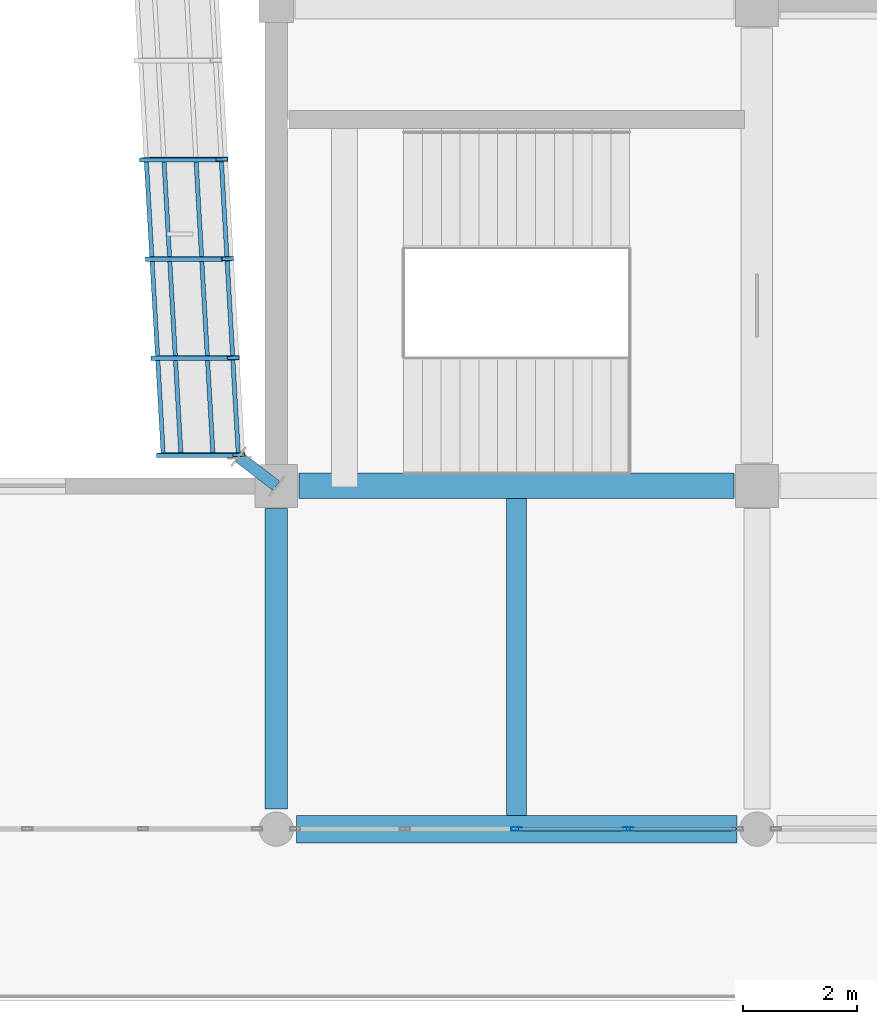
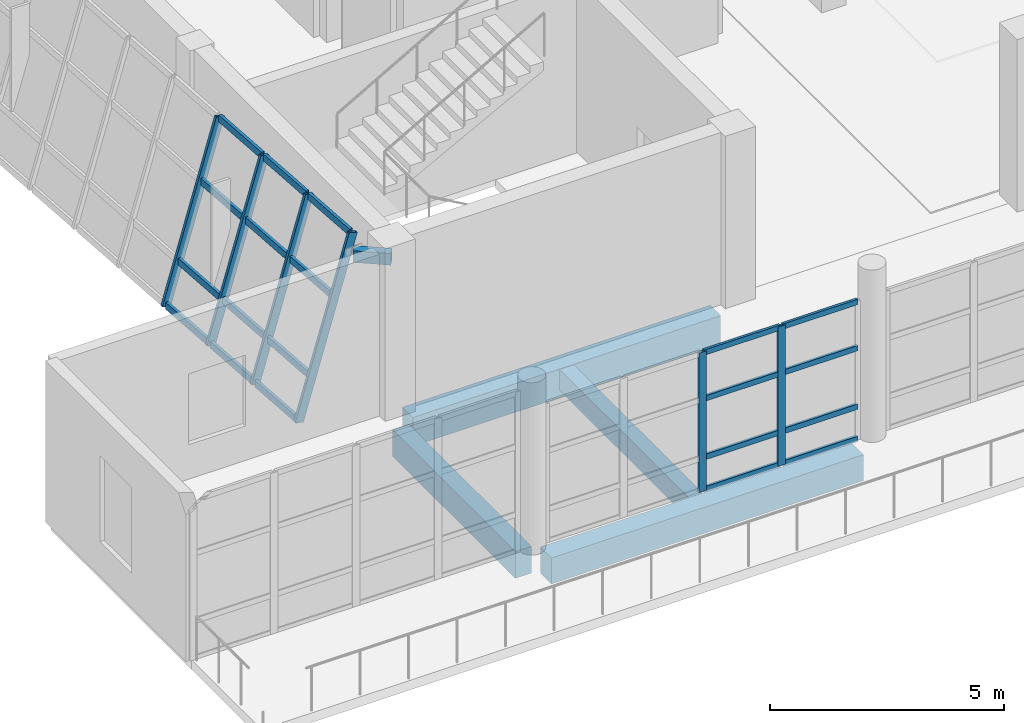
# One storey, part 3 of 71: 26 members, 5 beams, 2 elements without a shape of their own.
"""IFC4 building model written with IfcOpenShell, lengths in metres."""

import ifcopenshell
import ifcopenshell.guid

model = None  # the IFC model being written
_history = None  # IfcOwnerHistory: only IFC2X3 demands one
_inside = {}  # id of a spatial element -> (the spatial element, [elements in it])
_under = {}  # id of a project, library or spatial element -> (it, [spatial elements below it])
_declared = {}  # id of a project -> (the project, [libraries it declares])
_typed = {}  # id of a type object -> (the type object, [elements of that type])
_made_of = {}  # id of a material, layer set ... -> (it, [elements and type objects made of it])


def new_model(schema):
    """Start an empty IFC model of exactly this schema.

    Asked for "IFC4X3", IfcOpenShell would pick the latest addendum, in which some entities
    have other attributes; the version numbers below select the first issue.
    IFC2X3 requires an IfcOwnerHistory on every rooted entity: one is made here for all.
    """
    global model, _history
    if schema == "IFC4X3":
        model = ifcopenshell.file(schema_version=(4, 3, 0, 0))
    else:
        model = ifcopenshell.file(schema=schema)
    _inside.clear()
    _under.clear()
    _declared.clear()
    _typed.clear()
    _made_of.clear()
    _history = None
    if model.schema == "IFC2X3":
        org = make("IfcOrganization", Name="unknown")
        user = make(
            "IfcPersonAndOrganization",
            ThePerson=make("IfcPerson", FamilyName="unknown"),
            TheOrganization=org,
        )
        app = make(
            "IfcApplication",
            ApplicationDeveloper=org,
            Version="unknown",
            ApplicationFullName="unknown",
            ApplicationIdentifier="unknown",
        )
        _history = make(
            "IfcOwnerHistory",
            OwningUser=user,
            OwningApplication=app,
            ChangeAction="ADDED",
            CreationDate=0,
        )
    return model


def make(cls, **values):
    """One entity of the class cls with the attributes given. An attribute that is None is left unset."""
    return model.create_entity(
        cls, **{name: value for name, value in values.items() if value is not None}
    )


def rooted(cls, **values):
    """An entity with a GlobalId (a new one), such as an element, a storey or a relation."""
    return make(cls, GlobalId=ifcopenshell.guid.new(), OwnerHistory=_history, **values)


def si_unit(unit_type, name, prefix=None):
    """IfcSIUnit, for example si_unit("LENGTHUNIT", "METRE", prefix="MILLI")."""
    return make("IfcSIUnit", UnitType=unit_type, Prefix=prefix, Name=name)


def assignment(units):
    """IfcUnitAssignment: the units of a project."""
    return None if units is None else make("IfcUnitAssignment", Units=units)


def point(xyz):
    """IfcCartesianPoint."""
    return None if xyz is None else make("IfcCartesianPoint", Coordinates=xyz)


def direction(xyz):
    """IfcDirection."""
    return None if xyz is None else make("IfcDirection", DirectionRatios=xyz)


def frame(location, z_axis=None, x_axis=None):
    """IfcAxis2Placement3D, a coordinate frame: its origin and axes. An axis left out is left unset."""
    return make(
        "IfcAxis2Placement3D",
        Location=point(location),
        Axis=direction(z_axis),
        RefDirection=direction(x_axis),
    )


def frame_2d(location, x_axis=None):
    """IfcAxis2Placement2D, a coordinate frame in the plane: its origin and x axis."""
    return make(
        "IfcAxis2Placement2D", Location=point(location), RefDirection=direction(x_axis)
    )


def origin():
    """The frame at (0, 0, 0) with its axes left unset."""
    return frame((0.0, 0.0, 0.0))


def origin_2d():
    """The frame at (0, 0) in the plane with its x axis left unset."""
    return frame_2d((0.0, 0.0))


def place(relative_to, where):
    """IfcLocalPlacement: puts the frame where relative to a parent placement (None: the world)."""
    return make(
        "IfcLocalPlacement", PlacementRelTo=relative_to, RelativePlacement=where
    )


def context(
    kind, dimensions, precision=None, world=None, true_north=None, identifier=None
):
    """IfcGeometricRepresentationContext, for example the 3D "Model" context."""
    return make(
        "IfcGeometricRepresentationContext",
        ContextIdentifier=identifier,
        ContextType=kind,
        CoordinateSpaceDimension=dimensions,
        Precision=precision,
        WorldCoordinateSystem=world,
        TrueNorth=true_north,
    )


def subcontext(parent, identifier, kind, view, scale=None):
    """IfcGeometricRepresentationSubContext, for example "Body" below "Model"."""
    return make(
        "IfcGeometricRepresentationSubContext",
        ContextIdentifier=identifier,
        ContextType=kind,
        ParentContext=parent,
        TargetScale=scale,
        TargetView=view,
    )


def project(units=None, contexts=None):
    """IfcProject with its units and contexts."""
    return rooted(
        "IfcProject",
        Name="project",
        RepresentationContexts=contexts,
        UnitsInContext=assignment(units),
    )


def spatial(cls, under=None, at=None, **own):
    """A site, building, storey or space (cls), placed at a placement, below another one or the project."""
    s = rooted(cls, ObjectPlacement=at, **own)
    if under is not None:
        _under.setdefault(under.id(), (under, []))[1].append(s)
    return s


def profile(cls, at=None, kind="AREA", **sizes):
    """A parametric profile (cls). Its sizes go by their IFC names, for example OverallWidth=200.0."""
    return make(cls, ProfileType=kind, Position=at, **sizes)


def rectangle(**sizes):
    """IfcRectangleProfileDef."""
    return profile("IfcRectangleProfileDef", **sizes)


def hollow_rectangle(**sizes):
    """IfcRectangleHollowProfileDef."""
    return profile("IfcRectangleHollowProfileDef", **sizes)


def extrude(swept, where, along, depth):
    """IfcExtrudedAreaSolid: the profile swept, set in the frame where, extruded along a direction by depth."""
    return make(
        "IfcExtrudedAreaSolid",
        SweptArea=swept,
        Position=where,
        ExtrudedDirection=direction(along),
        Depth=depth,
    )


def shape(context_of_items, identifier, shape_type, items):
    """IfcShapeRepresentation: the items that make up one representation, for example the "Body"."""
    return make(
        "IfcShapeRepresentation",
        ContextOfItems=context_of_items,
        RepresentationIdentifier=identifier,
        RepresentationType=shape_type,
        Items=items,
    )


def material(Name=None, Category=None):
    """IfcMaterial."""
    return make("IfcMaterial", Name=Name, Category=Category)


def material_profile(
    of_material, cross_section, Name=None, Category=None, Priority=None
):
    """IfcMaterialProfile: a cross section and its material."""
    return make(
        "IfcMaterialProfile",
        Name=Name,
        Material=of_material,
        Profile=cross_section,
        Priority=Priority,
        Category=Category,
    )


def profile_set(profiles, Name=None, composite=None):
    """IfcMaterialProfileSet."""
    return make(
        "IfcMaterialProfileSet",
        Name=Name,
        MaterialProfiles=profiles,
        CompositeProfile=composite,
    )


def made_of(thing, what):
    """Note that an element or type object is made of a material, layer set ...; save() writes the relation."""
    if what is not None:
        _made_of.setdefault(what.id(), (what, []))[1].append(thing)
    return thing


def type_object(cls, material=None, **own):
    """A type object (cls), such as IfcWallType, which elements share."""
    return made_of(rooted(cls, **own), material)


def element(
    cls,
    number,
    at=None,
    inside=None,
    cuts=None,
    type_object=None,
    material=None,
    context=None,
    identifier="Body",
    shape_type=None,
    held_by="IfcProductDefinitionShape",
    body=None,
    shapes=None,
    **own,
):
    """One element of the class cls, such as IfcWall. Its Tag is "e" and its number.

    at: its placement. inside: the storey or other place that contains it. cuts: it is an
    opening in that element (IfcRelVoidsElement). A single representation is given by context,
    identifier, shape_type and body (its items); several are given by shapes. held_by: the class
    of the entity that holds the representations. save() writes the other relations.
    """
    e = rooted(cls, Tag="e%d" % number, ObjectPlacement=at, **own)
    if body is not None:
        shapes = [shape(context, identifier, shape_type, body)]
    if shapes is not None:
        e.Representation = make(held_by, Representations=shapes)
    if inside is not None:
        _inside.setdefault(inside.id(), (inside, []))[1].append(e)
    if cuts is not None:
        rooted(
            "IfcRelVoidsElement", RelatingBuildingElement=cuts, RelatedOpeningElement=e
        )
    if type_object is not None:
        _typed.setdefault(type_object.id(), (type_object, []))[1].append(e)
    return made_of(e, material)


def aggregate(whole, parts):
    """IfcRelAggregates: a whole, such as a stair, and the parts it consists of."""
    return rooted("IfcRelAggregates", RelatingObject=whole, RelatedObjects=parts)


def save(model, path):
    """Write the relations noted so far, then the file.

    IfcRelAggregates (storeys below a building ...), IfcRelContainedInSpatialStructure (elements
    in a storey), IfcRelDefinesByType, IfcRelAssociatesMaterial and IfcRelDeclares: one each for
    every whole, place, type object, material and project.
    """
    for whole, parts in _under.values():
        aggregate(whole, parts)
    for where, things in _inside.values():
        rooted(
            "IfcRelContainedInSpatialStructure",
            RelatedElements=things,
            RelatingStructure=where,
        )
    for kind, things in _typed.values():
        rooted("IfcRelDefinesByType", RelatedObjects=things, RelatingType=kind)
    for what, things in _made_of.values():
        rooted("IfcRelAssociatesMaterial", RelatedObjects=things, RelatingMaterial=what)
    for by, libraries in _declared.values():
        rooted("IfcRelDeclares", RelatingContext=by, RelatedDefinitions=libraries)
    model.write(path)


model = new_model("IFC4")

# Units and contexts
model_context = context("Model", 3, precision=1e-05, world=origin(), true_north=direction((0.0, 1.0)))
body_context = subcontext(model_context, "Body", "Model", "MODEL_VIEW")
ifc_project = project(units=[si_unit("LENGTHUNIT", "METRE"), si_unit("AREAUNIT", "SQUARE_METRE"), si_unit("VOLUMEUNIT", "CUBIC_METRE"), si_unit("PLANEANGLEUNIT", "RADIAN"), si_unit("MASSUNIT", "GRAM", prefix="KILO")], contexts=[model_context])

# Site, building, storey
site_placement = place(None, origin())
site = spatial("IfcSite", under=ifc_project, at=site_placement, CompositionType="ELEMENT")
building_placement = place(site_placement, origin())
building = spatial("IfcBuilding", under=site, at=building_placement, Name="Pellamere Symphony Hall", CompositionType="ELEMENT")
storey_placement = place(building_placement, frame((0.0, 0.0, 15.0)))
storey = spatial("IfcBuildingStorey", under=building, at=storey_placement, Name="L03", CompositionType="ELEMENT", Elevation=15.0)

# Curtain wall, members
ifc_material_1 = material(Name="Thermally Broken Anodised Aluminium 6063-T6 Curtain Wall", Category="aluminium")
curtain_wall_type_1 = type_object("IfcCurtainWallType", Name="Curtain Wall CW-01 (Tilted Faceted Crystal Low-Iron Curtain Wall)", PredefinedType="NOTDEFINED", material=ifc_material_1)
curtain_wall_1_placement = place(storey_placement, origin())
curtain_wall_1 = element("IfcCurtainWall", 1, at=curtain_wall_1_placement, inside=storey, type_object=curtain_wall_type_1, Name="Crystal Faceted Curtain Wall CW-CR18 (L03)", PredefinedType="NOTDEFINED")
ifc_material_2 = material(Name="Anodised Architectural Aluminium 6063-T6", Category="aluminium")
ifc_material_profile_1 = material_profile(ifc_material_2, hollow_rectangle(XDim=0.074951171875, YDim=0.219970703125, WallThickness=0.0048828125, at=origin_2d()), Name="ALU-M75X220X5")
ifc_profile_set_1 = profile_set([ifc_material_profile_1], Name="Anodised Architectural Aluminium 6063-T6")
member_type_1 = type_object("IfcMemberType", Name="Curtain Wall Mullion ML-01 ALU-M75X220X5", PredefinedType="MULLION", material=ifc_profile_set_1)
member_1_placement = place(storey_placement, frame((48.116943359375, 35.699951171875, 0.0), z_axis=(0.284024567884, 0.0, 0.95881700279), x_axis=(-0.055224537145, 0.998339941676, 0.01635883099)))
member_1 = element("IfcMember", 2, at=member_1_placement, type_object=member_type_1, Name="CW1-055 crystal mullion 7", PredefinedType="MULLION", context=body_context, shape_type="SweptSolid", body=[
    extrude(hollow_rectangle(XDim=0.074951171875, YDim=0.219970703125, WallThickness=0.0048828125, at=origin_2d()), origin(), (0.0, 0.0, 1.0), 4.693359375),
])
member_2_placement = place(storey_placement, frame((48.217041015625, 33.966552734375, 0.0), z_axis=(0.284024567884, 0.0, 0.95881700279), x_axis=(-0.055224537145, 0.998339941676, 0.01635883099)))
member_2 = element("IfcMember", 3, at=member_2_placement, type_object=member_type_1, Name="CW1-055 crystal mullion 8", PredefinedType="MULLION", context=body_context, shape_type="SweptSolid", body=[
    extrude(hollow_rectangle(XDim=0.074951171875, YDim=0.219970703125, WallThickness=0.0048828125, at=origin_2d()), origin(), (0.0, 0.0, 1.0), 4.693359375),
])
member_3_placement = place(storey_placement, frame((48.31689453125, 32.2333984375, 0.0), z_axis=(0.284024567884, 0.0, 0.95881700279), x_axis=(-0.055224537145, 0.998339941676, 0.01635883099)))
member_3 = element("IfcMember", 4, at=member_3_placement, type_object=member_type_1, Name="CW1-055 crystal mullion 9", PredefinedType="MULLION", context=body_context, shape_type="SweptSolid", body=[
    extrude(hollow_rectangle(XDim=0.074951171875, YDim=0.219970703125, WallThickness=0.0048828125, at=origin_2d()), origin(), (0.0, 0.0, 1.0), 4.693359375),
])
member_4_placement = place(storey_placement, frame((48.414794921875, 30.537353515625, 0.0), z_axis=(0.284024567884, 0.0, 0.95881700279), x_axis=(-0.055224537145, 0.998339941676, 0.01635883099)))
member_4 = element("IfcMember", 5, at=member_4_placement, type_object=member_type_1, Name="CW1-055 crystal mullion 10", PredefinedType="MULLION", context=body_context, shape_type="SweptSolid", body=[
    extrude(hollow_rectangle(XDim=0.074951171875, YDim=0.219970703125, WallThickness=0.0048828125, at=origin_2d()), origin(), (0.0, 0.0, 1.0), 4.693359375),
])

curtain_wall_type_2 = type_object("IfcCurtainWallType", Name="Curtain Wall CW-02 (Winter-Garden South Concourse Curtain Wall)", PredefinedType="NOTDEFINED", material=ifc_material_1)
curtain_wall_2_placement = place(storey_placement, origin())
curtain_wall_2 = element("IfcCurtainWall", 6, at=curtain_wall_2_placement, inside=storey, type_object=curtain_wall_type_2, Name="Winter-Garden South Curtain Wall (L03 Bay 2)", PredefinedType="NOTDEFINED")
ifc_material_profile_2 = material_profile(ifc_material_2, hollow_rectangle(XDim=0.06494140625, YDim=0.179931640625, WallThickness=0.00390625, at=origin_2d()), Name="ALU-M65X180X4")
ifc_profile_set_2 = profile_set([ifc_material_profile_2], Name="Anodised Architectural Aluminium 6063-T6")
member_type_2 = type_object("IfcMemberType", Name="Curtain Wall Mullion ML-02 ALU-M65X180X4", PredefinedType="MULLION", material=ifc_profile_set_2)
member_5_placement = place(storey_placement, frame((54.60009765625, 24.0, 0.0), z_axis=(0.0, 0.0, 1.0), x_axis=(0.0, 1.0, 0.0)))
member_5 = element("IfcMember", 7, at=member_5_placement, type_object=member_type_2, Name="CW2-087 crystal mullion 3", PredefinedType="MULLION", context=body_context, shape_type="SweptSolid", body=[
    extrude(hollow_rectangle(XDim=0.06494140625, YDim=0.179931640625, WallThickness=0.00390625, at=origin_2d()), origin(), (0.0, 0.0, 1.0), 3.639892578125),
])
member_6_placement = place(storey_placement, frame((56.550048828125, 24.0, 0.0), z_axis=(0.0, 0.0, 1.0), x_axis=(0.0, 1.0, 0.0)))
member_6 = element("IfcMember", 8, at=member_6_placement, type_object=member_type_2, Name="CW2-087 crystal mullion 4", PredefinedType="MULLION", context=body_context, shape_type="SweptSolid", body=[
    extrude(hollow_rectangle(XDim=0.06494140625, YDim=0.179931640625, WallThickness=0.00390625, at=origin_2d()), origin(), (0.0, 0.0, 1.0), 3.639892578125),
])

# Member
ifc_material_profile_3 = material_profile(ifc_material_2, hollow_rectangle(XDim=0.074951171875, YDim=0.179931640625, WallThickness=0.0048828125, at=origin_2d()), Name="ALU-T75X180X5")
ifc_profile_set_3 = profile_set([ifc_material_profile_3], Name="Anodised Architectural Aluminium 6063-T6")
member_type_3 = type_object("IfcMemberType", Name="Curtain Wall Transom TR-01 ALU-T75X180X5", PredefinedType="USERDEFINED", material=ifc_profile_set_3)
member_7_placement = place(storey_placement, frame((48.1298828125, 35.66259765625, 0.035888671875), z_axis=(0.057610619545, -0.998339129012, 0.0), x_axis=(0.998339129012, 0.057610619545, 0.0)))
member_7 = element("IfcMember", 9, at=member_7_placement, type_object=member_type_3, Name="CW1-055 crystal transom 7.1", ObjectType="TRANSOM", PredefinedType="USERDEFINED", context=body_context, shape_type="SweptSolid", body=[
    extrude(hollow_rectangle(XDim=0.074951171875, YDim=0.179931640625, WallThickness=0.0048828125, at=origin_2d()), origin(), (0.0, 0.0, 1.0), 1.6611328125),
])

member_8_placement = place(storey_placement, frame((48.43896484375, 35.66259765625, 1.080078125), z_axis=(0.057610619545, -0.998339129012, 0.0), x_axis=(0.998339129012, 0.057610619545, 0.0)))
member_8 = element("IfcMember", 10, at=member_8_placement, type_object=member_type_3, Name="CW1-055 crystal transom 7.2", ObjectType="TRANSOM", PredefinedType="USERDEFINED", context=body_context, shape_type="SweptSolid", body=[
    extrude(hollow_rectangle(XDim=0.074951171875, YDim=0.179931640625, WallThickness=0.0048828125, at=origin_2d()), origin(), (0.0, 0.0, 1.0), 1.6611328125),
])

member_9_placement = place(storey_placement, frame((48.9990234375, 35.66259765625, 2.969970703125), z_axis=(0.057610619545, -0.998339129012, 0.0), x_axis=(0.998339129012, 0.057610619545, 0.0)))
member_9 = element("IfcMember", 11, at=member_9_placement, type_object=member_type_3, Name="CW1-055 crystal transom 7.3", ObjectType="TRANSOM", PredefinedType="USERDEFINED", context=body_context, shape_type="SweptSolid", body=[
    extrude(hollow_rectangle(XDim=0.074951171875, YDim=0.179931640625, WallThickness=0.0048828125, at=origin_2d()), origin(), (0.0, 0.0, 1.0), 1.6611328125),
])

member_10_placement = place(storey_placement, frame((49.44140625, 35.66259765625, 4.464111328125), z_axis=(0.057610619545, -0.998339129012, 0.0), x_axis=(0.998339129012, 0.057610619545, 0.0)))
member_10 = element("IfcMember", 12, at=member_10_placement, type_object=member_type_3, Name="CW1-055 crystal transom 7.4", ObjectType="TRANSOM", PredefinedType="USERDEFINED", context=body_context, shape_type="SweptSolid", body=[
    extrude(hollow_rectangle(XDim=0.074951171875, YDim=0.179931640625, WallThickness=0.0048828125, at=origin_2d()), origin(), (0.0, 0.0, 1.0), 1.6611328125),
])

member_11_placement = place(storey_placement, frame((48.229736328125, 33.92919921875, 0.035888671875), z_axis=(0.057610619545, -0.998339129012, 0.0), x_axis=(0.998339129012, 0.057610619545, 0.0)))
member_11 = element("IfcMember", 13, at=member_11_placement, type_object=member_type_3, Name="CW1-055 crystal transom 8.1", ObjectType="TRANSOM", PredefinedType="USERDEFINED", context=body_context, shape_type="SweptSolid", body=[
    extrude(hollow_rectangle(XDim=0.074951171875, YDim=0.179931640625, WallThickness=0.0048828125, at=origin_2d()), origin(), (0.0, 0.0, 1.0), 1.6611328125),
])

member_12_placement = place(storey_placement, frame((48.5390625, 33.92919921875, 1.080078125), z_axis=(0.057610619545, -0.998339129012, 0.0), x_axis=(0.998339129012, 0.057610619545, 0.0)))
member_12 = element("IfcMember", 14, at=member_12_placement, type_object=member_type_3, Name="CW1-055 crystal transom 8.2", ObjectType="TRANSOM", PredefinedType="USERDEFINED", context=body_context, shape_type="SweptSolid", body=[
    extrude(hollow_rectangle(XDim=0.074951171875, YDim=0.179931640625, WallThickness=0.0048828125, at=origin_2d()), origin(), (0.0, 0.0, 1.0), 1.6611328125),
])

member_13_placement = place(storey_placement, frame((49.098876953125, 33.92919921875, 2.969970703125), z_axis=(0.057610619545, -0.998339129012, 0.0), x_axis=(0.998339129012, 0.057610619545, 0.0)))
member_13 = element("IfcMember", 15, at=member_13_placement, type_object=member_type_3, Name="CW1-055 crystal transom 8.3", ObjectType="TRANSOM", PredefinedType="USERDEFINED", context=body_context, shape_type="SweptSolid", body=[
    extrude(hollow_rectangle(XDim=0.074951171875, YDim=0.179931640625, WallThickness=0.0048828125, at=origin_2d()), origin(), (0.0, 0.0, 1.0), 1.6611328125),
])

member_14_placement = place(storey_placement, frame((49.54150390625, 33.92919921875, 4.464111328125), z_axis=(0.057610619545, -0.998339129012, 0.0), x_axis=(0.998339129012, 0.057610619545, 0.0)))
member_14 = element("IfcMember", 16, at=member_14_placement, type_object=member_type_3, Name="CW1-055 crystal transom 8.4", ObjectType="TRANSOM", PredefinedType="USERDEFINED", context=body_context, shape_type="SweptSolid", body=[
    extrude(hollow_rectangle(XDim=0.074951171875, YDim=0.179931640625, WallThickness=0.0048828125, at=origin_2d()), origin(), (0.0, 0.0, 1.0), 1.6611328125),
])

member_15_placement = place(storey_placement, frame((48.329833984375, 32.19580078125, 0.035888671875), z_axis=(0.057593652861, -0.998340107954, 0.0), x_axis=(0.998340107954, 0.057593652861, 0.0)))
member_15 = element("IfcMember", 17, at=member_15_placement, type_object=member_type_3, Name="CW1-055 crystal transom 9.1", ObjectType="TRANSOM", PredefinedType="USERDEFINED", context=body_context, shape_type="SweptSolid", body=[
    extrude(hollow_rectangle(XDim=0.074951171875, YDim=0.179931640625, WallThickness=0.0048828125, at=origin_2d()), origin(), (0.0, 0.0, 1.0), 1.62353515625),
])

member_16_placement = place(storey_placement, frame((48.63916015625, 32.19580078125, 1.080078125), z_axis=(0.057593652861, -0.998340107954, 0.0), x_axis=(0.998340107954, 0.057593652861, 0.0)))
member_16 = element("IfcMember", 18, at=member_16_placement, type_object=member_type_3, Name="CW1-055 crystal transom 9.2", ObjectType="TRANSOM", PredefinedType="USERDEFINED", context=body_context, shape_type="SweptSolid", body=[
    extrude(hollow_rectangle(XDim=0.074951171875, YDim=0.179931640625, WallThickness=0.0048828125, at=origin_2d()), origin(), (0.0, 0.0, 1.0), 1.62353515625),
])

member_17_placement = place(storey_placement, frame((49.198974609375, 32.19580078125, 2.969970703125), z_axis=(0.057593652861, -0.998340107954, 0.0), x_axis=(0.998340107954, 0.057593652861, 0.0)))
member_17 = element("IfcMember", 19, at=member_17_placement, type_object=member_type_3, Name="CW1-055 crystal transom 9.3", ObjectType="TRANSOM", PredefinedType="USERDEFINED", context=body_context, shape_type="SweptSolid", body=[
    extrude(hollow_rectangle(XDim=0.074951171875, YDim=0.179931640625, WallThickness=0.0048828125, at=origin_2d()), origin(), (0.0, 0.0, 1.0), 1.62353515625),
])

member_18_placement = place(storey_placement, frame((49.6416015625, 32.19580078125, 4.464111328125), z_axis=(0.057593652861, -0.998340107954, 0.0), x_axis=(0.998340107954, 0.057593652861, 0.0)))
member_18 = element("IfcMember", 20, at=member_18_placement, type_object=member_type_3, Name="CW1-055 crystal transom 9.4", ObjectType="TRANSOM", PredefinedType="USERDEFINED", context=body_context, shape_type="SweptSolid", body=[
    extrude(hollow_rectangle(XDim=0.074951171875, YDim=0.179931640625, WallThickness=0.0048828125, at=origin_2d()), origin(), (0.0, 0.0, 1.0), 1.62353515625),
])

aggregate(curtain_wall_1, [member_1, member_2, member_3, member_4, member_7, member_8, member_9, member_10, member_11, member_12, member_13, member_14, member_15, member_16, member_17, member_18])

ifc_material_profile_4 = material_profile(ifc_material_2, hollow_rectangle(XDim=0.06494140625, YDim=0.139892578125, WallThickness=0.00390625, at=origin_2d()), Name="ALU-T65X140X4")
ifc_profile_set_4 = profile_set([ifc_material_profile_4], Name="Anodised Architectural Aluminium 6063-T6")
member_type_4 = type_object("IfcMemberType", Name="Curtain Wall Transom TR-02 ALU-T65X140X4", PredefinedType="USERDEFINED", material=ifc_profile_set_4)
member_19_placement = place(storey_placement, frame((54.632568359375, 24.0, 0.032470703125), z_axis=(1.0, 0.0, 0.0), x_axis=(0.0, 1.0, 0.0)))
member_19 = element("IfcMember", 21, at=member_19_placement, type_object=member_type_4, Name="CW2-087 crystal transom 3.1", ObjectType="TRANSOM", PredefinedType="USERDEFINED", context=body_context, shape_type="SweptSolid", body=[
    extrude(hollow_rectangle(XDim=0.06494140625, YDim=0.139892578125, WallThickness=0.00390625, at=origin_2d()), origin(), (0.0, 0.0, 1.0), 1.885009765625),
])

member_20_placement = place(storey_placement, frame((54.632568359375, 24.0, 0.87353515625), z_axis=(1.0, 0.0, 0.0), x_axis=(0.0, 1.0, 0.0)))
member_20 = element("IfcMember", 22, at=member_20_placement, type_object=member_type_4, Name="CW2-087 crystal transom 3.2", ObjectType="TRANSOM", PredefinedType="USERDEFINED", context=body_context, shape_type="SweptSolid", body=[
    extrude(hollow_rectangle(XDim=0.06494140625, YDim=0.139892578125, WallThickness=0.00390625, at=origin_2d()), origin(), (0.0, 0.0, 1.0), 1.885009765625),
])

member_21_placement = place(storey_placement, frame((54.632568359375, 24.0, 2.40234375), z_axis=(1.0, 0.0, 0.0), x_axis=(0.0, 1.0, 0.0)))
member_21 = element("IfcMember", 23, at=member_21_placement, type_object=member_type_4, Name="CW2-087 crystal transom 3.3", ObjectType="TRANSOM", PredefinedType="USERDEFINED", context=body_context, shape_type="SweptSolid", body=[
    extrude(hollow_rectangle(XDim=0.06494140625, YDim=0.139892578125, WallThickness=0.00390625, at=origin_2d()), origin(), (0.0, 0.0, 1.0), 1.885009765625),
])

member_22_placement = place(storey_placement, frame((54.632568359375, 24.0, 3.607421875), z_axis=(1.0, 0.0, 0.0), x_axis=(0.0, 1.0, 0.0)))
member_22 = element("IfcMember", 24, at=member_22_placement, type_object=member_type_4, Name="CW2-087 crystal transom 3.4", ObjectType="TRANSOM", PredefinedType="USERDEFINED", context=body_context, shape_type="SweptSolid", body=[
    extrude(hollow_rectangle(XDim=0.06494140625, YDim=0.139892578125, WallThickness=0.00390625, at=origin_2d()), origin(), (0.0, 0.0, 1.0), 1.885009765625),
])

member_23_placement = place(storey_placement, frame((56.58251953125, 24.0, 0.032470703125), z_axis=(1.0, 0.0, 0.0), x_axis=(0.0, 1.0, 0.0)))
member_23 = element("IfcMember", 25, at=member_23_placement, type_object=member_type_4, Name="CW2-087 crystal transom 4.1", ObjectType="TRANSOM", PredefinedType="USERDEFINED", context=body_context, shape_type="SweptSolid", body=[
    extrude(hollow_rectangle(XDim=0.06494140625, YDim=0.139892578125, WallThickness=0.00390625, at=origin_2d()), origin(), (0.0, 0.0, 1.0), 1.8525390625),
])

member_24_placement = place(storey_placement, frame((56.58251953125, 24.0, 0.87353515625), z_axis=(1.0, 0.0, 0.0), x_axis=(0.0, 1.0, 0.0)))
member_24 = element("IfcMember", 26, at=member_24_placement, type_object=member_type_4, Name="CW2-087 crystal transom 4.2", ObjectType="TRANSOM", PredefinedType="USERDEFINED", context=body_context, shape_type="SweptSolid", body=[
    extrude(hollow_rectangle(XDim=0.06494140625, YDim=0.139892578125, WallThickness=0.00390625, at=origin_2d()), origin(), (0.0, 0.0, 1.0), 1.8525390625),
])

member_25_placement = place(storey_placement, frame((56.58251953125, 24.0, 2.40234375), z_axis=(1.0, 0.0, 0.0), x_axis=(0.0, 1.0, 0.0)))
member_25 = element("IfcMember", 27, at=member_25_placement, type_object=member_type_4, Name="CW2-087 crystal transom 4.3", ObjectType="TRANSOM", PredefinedType="USERDEFINED", context=body_context, shape_type="SweptSolid", body=[
    extrude(hollow_rectangle(XDim=0.06494140625, YDim=0.139892578125, WallThickness=0.00390625, at=origin_2d()), origin(), (0.0, 0.0, 1.0), 1.8525390625),
])

member_26_placement = place(storey_placement, frame((56.58251953125, 24.0, 3.607421875), z_axis=(1.0, 0.0, 0.0), x_axis=(0.0, 1.0, 0.0)))
member_26 = element("IfcMember", 28, at=member_26_placement, type_object=member_type_4, Name="CW2-087 crystal transom 4.4", ObjectType="TRANSOM", PredefinedType="USERDEFINED", context=body_context, shape_type="SweptSolid", body=[
    extrude(hollow_rectangle(XDim=0.06494140625, YDim=0.139892578125, WallThickness=0.00390625, at=origin_2d()), origin(), (0.0, 0.0, 1.0), 1.8525390625),
])

aggregate(curtain_wall_2, [member_5, member_6, member_19, member_20, member_21, member_22, member_23, member_24, member_25, member_26])

# Beams
ifc_material_3 = material(Name="Concrete 35 MPa", Category="concrete")
ifc_material_profile_5 = material_profile(ifc_material_3, rectangle(XDim=0.35009765625, YDim=0.550048828125, at=origin_2d()), Name="RC 350x550")
ifc_profile_set_5 = profile_set([ifc_material_profile_5], Name="Concrete 35 MPa")
beam_type_1 = type_object("IfcBeamType", Name="RC CB-10 350x550", PredefinedType="BEAM", material=ifc_profile_set_5)
beam_1_placement = place(storey_placement, frame((54.60009765625, 24.239990234375, -0.550048828125), z_axis=(0.0, 1.0, 0.0), x_axis=(-1.0, 0.0, 0.0)))
element("IfcBeam", 29, at=beam_1_placement, inside=storey, type_object=beam_type_1, Name="Secondary Floor Beam CB-10-M0603 (L03)", PredefinedType="BEAM", context=body_context, shape_type="SweptSolid", body=[
    extrude(rectangle(XDim=0.35009765625, YDim=0.550048828125, at=origin_2d()), origin(), (0.0, 0.0, 1.0), 5.534912109375),
])
ifc_material_4 = material(Name="Concrete 40 MPa", Category="concrete")
ifc_material_profile_6 = material_profile(ifc_material_4, rectangle(XDim=0.449951171875, YDim=0.75, at=origin_2d()), Name="RC 450x750")
ifc_profile_set_6 = profile_set([ifc_material_profile_6], Name="Concrete 40 MPa")
beam_type_2 = type_object("IfcBeamType", Name="RC CB-12 450x750", PredefinedType="SPANDREL", material=ifc_profile_set_6)
beam_2_placement = place(storey_placement, frame((50.800048828125, 30.0, -0.635009765625), z_axis=(1.0, 0.0, 0.0), x_axis=(0.0, 1.0, 0.0)))
element("IfcBeam", 30, at=beam_2_placement, inside=storey, type_object=beam_type_2, Name="Girder CB-12-X1506 (L03)", PredefinedType="SPANDREL", context=body_context, shape_type="SweptSolid", body=[
    extrude(rectangle(XDim=0.449951171875, YDim=0.75, at=origin_2d()), origin(), (0.0, 0.0, 1.0), 7.599853515625),
])
ifc_material_profile_7 = material_profile(ifc_material_4, rectangle(XDim=0.39990234375, YDim=0.699951171875, at=origin_2d()), Name="RC 400x700")
ifc_profile_set_7 = profile_set([ifc_material_profile_7], Name="Concrete 40 MPa")
beam_type_3 = type_object("IfcBeamType", Name="RC CB-13 400x700", PredefinedType="SPANDREL", material=ifc_profile_set_7)
beam_3_placement = place(storey_placement, frame((50.39990234375, 24.35009765625, -0.610107421875), z_axis=(0.0, 1.0, 0.0), x_axis=(-1.0, 0.0, 0.0)))
element("IfcBeam", 31, at=beam_3_placement, inside=storey, type_object=beam_type_3, Name="Girder CB-13-Y1606 (L03)", PredefinedType="SPANDREL", context=body_context, shape_type="SweptSolid", body=[
    extrude(rectangle(XDim=0.39990234375, YDim=0.699951171875, at=origin_2d()), origin(), (0.0, 0.0, 1.0), 5.25),
])
ifc_material_profile_8 = material_profile(ifc_material_4, rectangle(XDim=0.47998046875, YDim=0.679931640625, at=origin_2d()), Name="RC 480x680")
ifc_profile_set_8 = profile_set([ifc_material_profile_8], Name="Concrete 40 MPa")
beam_type_4 = type_object("IfcBeamType", Name="RC CB-19 480x680", PredefinedType="BEAM", material=ifc_profile_set_8)
beam_4_placement = place(storey_placement, frame((50.75, 24.0, -0.60009765625), z_axis=(1.0, 0.0, 0.0), x_axis=(0.0, 1.0, 0.0)))
element("IfcBeam", 32, at=beam_4_placement, inside=storey, type_object=beam_type_4, Name="Girder CB-19-X1494 (L03)", PredefinedType="BEAM", context=body_context, shape_type="SweptSolid", body=[
    extrude(rectangle(XDim=0.47998046875, YDim=0.679931640625, at=origin_2d()), origin(), (0.0, 0.0, 1.0), 7.699951171875),
])
ifc_material_5 = material(Name="Steel CSA G40.21 350W", Category="steel")
ifc_material_profile_9 = material_profile(ifc_material_5, hollow_rectangle(XDim=0.203125, YDim=0.3046875, WallThickness=0.0126953125, at=origin_2d()), Name="HSS305X203X13")
ifc_profile_set_9 = profile_set([ifc_material_profile_9], Name="Steel CSA G40.21 350W")
beam_type_5 = type_object("IfcBeamType", Name="Steel Spandrel SB-26 HSS305X203X13", PredefinedType="SPANDREL", material=ifc_profile_set_9)
beam_5_placement = place(storey_placement, frame((50.39990234375, 30.0, 3.93994140625), z_axis=(-0.792579713642, 0.609768314627, 0.0), x_axis=(-0.609768314627, -0.792579713642, 0.0)))
element("IfcBeam", 33, at=beam_5_placement, inside=storey, type_object=beam_type_5, Name="Crystal Ring Outrigger Bracket 123 (L03)", PredefinedType="SPANDREL", context=body_context, shape_type="SweptSolid", body=[
    extrude(hollow_rectangle(XDim=0.203125, YDim=0.3046875, WallThickness=0.0126953125, at=origin_2d()), origin(), (0.0, 0.0, 1.0), 0.820068359375),
])

save(model, "model.ifc")
